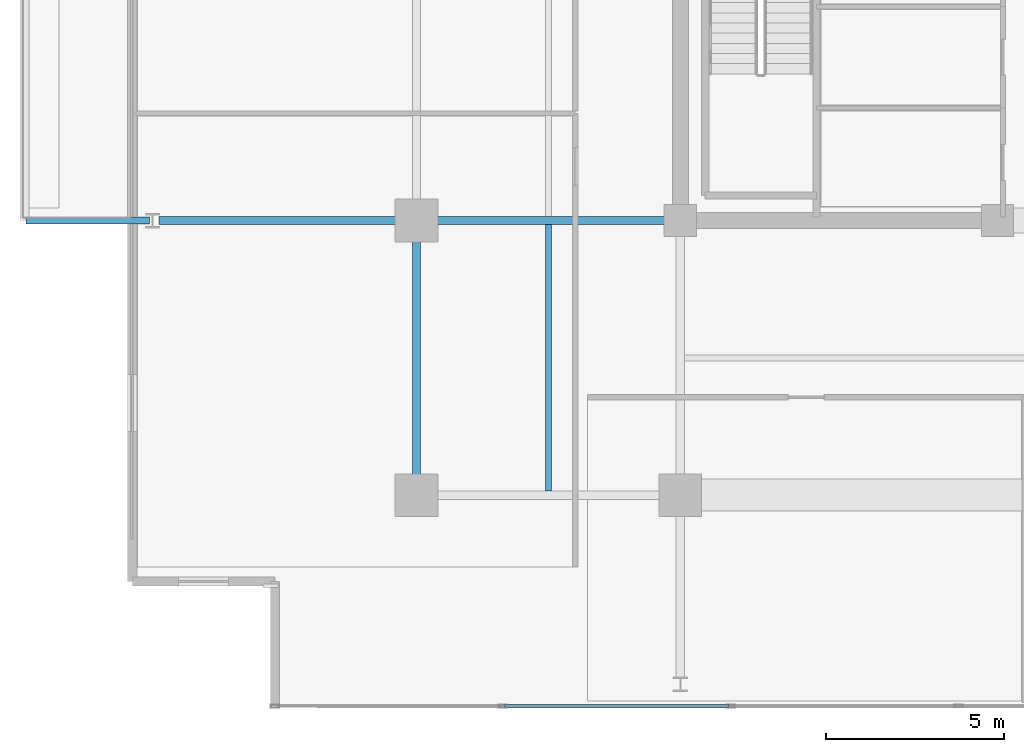
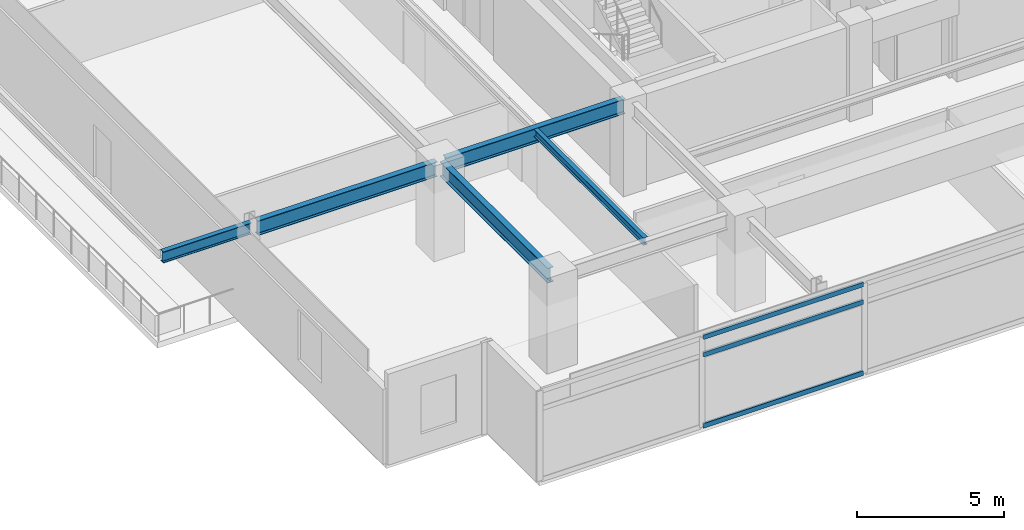
# One storey, part 3 of 21: 5 beams, 3 members, 1 element without a shape of its own.
"""IFC4 building model written with IfcOpenShell, lengths in metres."""

from ifc_helpers import new_model, si_unit, direction, frame, origin, origin_2d, place, context, subcontext, project, spatial, hollow_rectangle, i_section, extrude, material, material_profile, profile_set, type_object, element, aggregate, save


model = new_model("IFC4")

# Units and contexts
model_context = context("Model", 3, precision=1e-05, world=origin(), true_north=direction((0.0, 1.0)))
body_context = subcontext(model_context, "Body", "Model", "MODEL_VIEW")
ifc_project = project(units=[si_unit("LENGTHUNIT", "METRE"), si_unit("AREAUNIT", "SQUARE_METRE"), si_unit("VOLUMEUNIT", "CUBIC_METRE"), si_unit("PLANEANGLEUNIT", "RADIAN"), si_unit("MASSUNIT", "GRAM", prefix="KILO")], contexts=[model_context])

# Site, building, storey
site_placement = place(None, origin())
site = spatial("IfcSite", under=ifc_project, at=site_placement, CompositionType="ELEMENT")
building_placement = place(site_placement, origin())
building = spatial("IfcBuilding", under=site, at=building_placement, Name="Kovane Verandah Tower", CompositionType="ELEMENT")
storey_placement = place(building_placement, frame((0.0, 0.0, 247.199951171875)))
storey = spatial("IfcBuildingStorey", under=building, at=storey_placement, Name="L57", CompositionType="ELEMENT", Elevation=247.199951171875)

# Beams
ifc_material_1 = material(Name="Steel S355", Category="steel")
ifc_material_profile_1 = material_profile(ifc_material_1, i_section(OverallWidth=0.230224609375, OverallDepth=0.6171875, WebThickness=0.01318359375, FlangeThickness=0.022216796875, FilletRadius=0.0126953125, at=origin_2d()), Name="UB610x229x140")
ifc_profile_set_1 = profile_set([ifc_material_profile_1], Name="Steel S355")
beam_type_1 = type_object("IfcBeamType", Name="BM-UB610x140", PredefinedType="BEAM", material=ifc_profile_set_1)
beam_1_placement = place(storey_placement, frame((21.60009765625, 10.97998046875, 3.4765625), z_axis=(0.0, 1.0, 0.0), x_axis=(-1.0, 0.0, 0.0)))
element("IfcBeam", 1, at=beam_1_placement, inside=storey, type_object=beam_type_1, Name="L57 Primary Tower Girder G-RW1", PredefinedType="BEAM", context=body_context, shape_type="SweptSolid", body=[
    extrude(i_section(OverallWidth=0.230224609375, OverallDepth=0.6171875, WebThickness=0.01318359375, FlangeThickness=0.022216796875, FilletRadius=0.0126953125, at=origin_2d()), origin(), (0.0, 0.0, 1.0), 7.340087890625),
])
for number, where, z_axis, x_axis, name in (
    (2, (28.820068359375, 18.5, 3.4765625), (-1.0, 0.0, 0.0), (0.0, -1.0, 0.0), "L57 Primary Tower Girder G-W1"),
    (3, (21.419921875, 18.5, 3.451416015625), (-1.0, 0.0, 0.0), (0.0, -1.0, 0.0), "L57 Primary Tower Girder G-VW1"),
):
    element("IfcBeam", number, at=place(storey_placement, frame(where, z_axis=z_axis, x_axis=x_axis)), inside=storey, type_object=beam_type_1, Name=name, PredefinedType="BEAM", context=body_context, shape_type="SweptSolid", body=[
        extrude(i_section(OverallWidth=0.230224609375, OverallDepth=0.6171875, WebThickness=0.01318359375, FlangeThickness=0.022216796875, FilletRadius=0.0126953125, at=origin_2d()), origin(), (0.0, 0.0, 1.0), 7.0400390625),
    ])

# Curtain wall, members
ifc_material_2 = material(Name="Champagne Anodised Aluminium Frame with Low-E Clear Laminated Glass", Category="aluminium")
curtain_wall_type = type_object("IfcCurtainWallType", Name="CW-SYS-05-HIGH", PredefinedType="NOTDEFINED", material=ifc_material_2)
curtain_wall_placement = place(storey_placement, origin())
curtain_wall = element("IfcCurtainWall", 4, at=curtain_wall_placement, inside=storey, type_object=curtain_wall_type, Name="L57 S Unitised Curtain Wall", PredefinedType="NOTDEFINED")
ifc_material_3 = material(Name="Champagne Anodised Aluminium 6063-T6", Category="aluminium")
ifc_material_profile_2 = material_profile(ifc_material_3, hollow_rectangle(XDim=0.0849609375, YDim=0.18994140625, WallThickness=0.00390625, at=origin_2d()), Name="AL85x190x4")
ifc_profile_set_2 = profile_set([ifc_material_profile_2], Name="Champagne Anodised Aluminium 6063-T6")
member_type = type_object("IfcMemberType", Name="CW-TRN-85x190", PredefinedType="USERDEFINED", material=ifc_profile_set_2)
member_1_placement = place(storey_placement, frame((24.073974609375, 4.8818359375, 0.050048828125), z_axis=(1.0, 0.0, 0.0), x_axis=(0.0, 1.0, 0.0)))
member_1 = element("IfcMember", 5, at=member_1_placement, type_object=member_type, Name="L57 S Unitised Curtain Wall Transom TB Bay 2", ObjectType="TRANSOM", PredefinedType="USERDEFINED", context=body_context, shape_type="SweptSolid", body=[
    extrude(hollow_rectangle(XDim=0.0849609375, YDim=0.18994140625, WallThickness=0.00390625, at=origin_2d()), origin(), (0.0, 0.0, 1.0), 6.29052734375),
])
member_2_placement = place(storey_placement, frame((24.073974609375, 4.8818359375, 3.005126953125), z_axis=(1.0, 0.0, 0.0), x_axis=(0.0, 1.0, 0.0)))
member_2 = element("IfcMember", 6, at=member_2_placement, type_object=member_type, Name="L57 S Unitised Curtain Wall Transom TM Bay 2", ObjectType="TRANSOM", PredefinedType="USERDEFINED", context=body_context, shape_type="SweptSolid", body=[
    extrude(hollow_rectangle(XDim=0.0849609375, YDim=0.18994140625, WallThickness=0.00390625, at=origin_2d()), origin(), (0.0, 0.0, 1.0), 6.29052734375),
])
member_3_placement = place(storey_placement, frame((24.073974609375, 4.8818359375, 3.735107421875), z_axis=(1.0, 0.0, 0.0), x_axis=(0.0, 1.0, 0.0)))
member_3 = element("IfcMember", 7, at=member_3_placement, type_object=member_type, Name="L57 S Unitised Curtain Wall Transom TT Bay 2", ObjectType="TRANSOM", PredefinedType="USERDEFINED", context=body_context, shape_type="SweptSolid", body=[
    extrude(hollow_rectangle(XDim=0.0849609375, YDim=0.18994140625, WallThickness=0.00390625, at=origin_2d()), origin(), (0.0, 0.0, 1.0), 6.29052734375),
])
aggregate(curtain_wall, [member_1, member_2, member_3])

# Beams
ifc_material_profile_3 = material_profile(ifc_material_1, i_section(OverallWidth=0.1669921875, OverallDepth=0.310302734375, WebThickness=0.0078125, FlangeThickness=0.013671875, FilletRadius=0.0087890625, at=origin_2d()), Name="UB305x165x54")
ifc_profile_set_3 = profile_set([ifc_material_profile_3], Name="Steel S355")
beam_type_2 = type_object("IfcBeamType", Name="JST-UB305x54", PredefinedType="JOIST", material=ifc_profile_set_3)
beam_2_placement = place(storey_placement, frame((25.300048828125, 10.9130859375, 3.6298828125), z_axis=(0.0, 1.0, 0.0), x_axis=(-1.0, 0.0, 0.0)))
element("IfcBeam", 8, at=beam_2_placement, inside=storey, type_object=beam_type_2, Name="L57 Secondary Composite Joist J-SW1", PredefinedType="JOIST", context=body_context, shape_type="SweptSolid", body=[
    extrude(i_section(OverallWidth=0.1669921875, OverallDepth=0.310302734375, WebThickness=0.0078125, FlangeThickness=0.013671875, FilletRadius=0.0087890625, at=origin_2d()), origin(), (0.0, 0.0, 1.0), 7.473876953125),
])
ifc_material_profile_4 = material_profile(ifc_material_1, i_section(OverallWidth=0.19287109375, OverallDepth=0.46728515625, WebThickness=0.011474609375, FlangeThickness=0.01953125, FilletRadius=0.01025390625, at=origin_2d()), Name="UB457x191x98")
ifc_profile_set_4 = profile_set([ifc_material_profile_4], Name="Steel S355")
beam_type_3 = type_object("IfcBeamType", Name="JST-UB457x98", PredefinedType="JOIST", material=ifc_profile_set_4)
beam_3_placement = place(storey_placement, frame((14.1201171875, 18.5, 3.5263671875), z_axis=(-1.0, 0.0, 0.0), x_axis=(0.0, -1.0, 0.0)))
element("IfcBeam", 9, at=beam_3_placement, inside=storey, type_object=beam_type_3, Name="L57 West Planter Girder 1", PredefinedType="JOIST", context=body_context, shape_type="SweptSolid", body=[
    extrude(i_section(OverallWidth=0.19287109375, OverallDepth=0.46728515625, WebThickness=0.011474609375, FlangeThickness=0.01953125, FilletRadius=0.01025390625, at=origin_2d()), origin(), (0.0, 0.0, 1.0), 3.46630859375),
])

save(model, "model.ifc")
